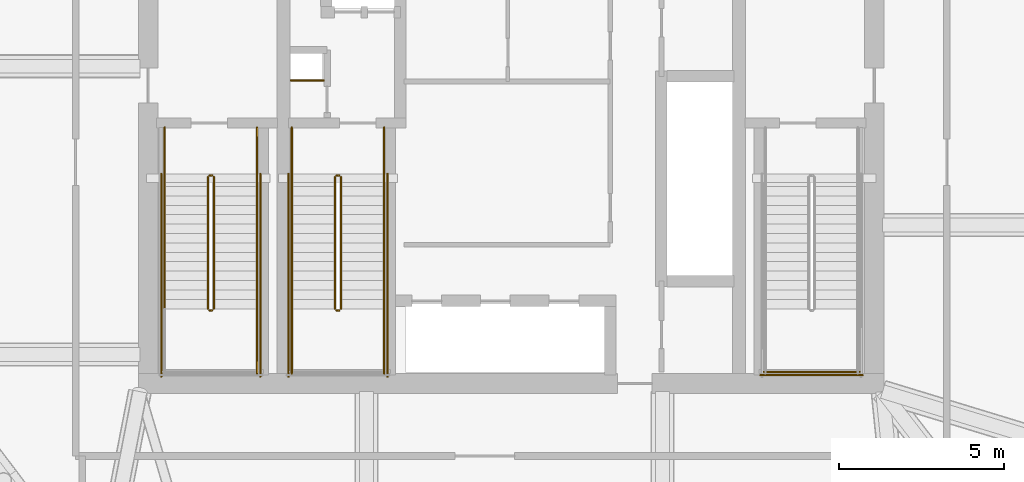
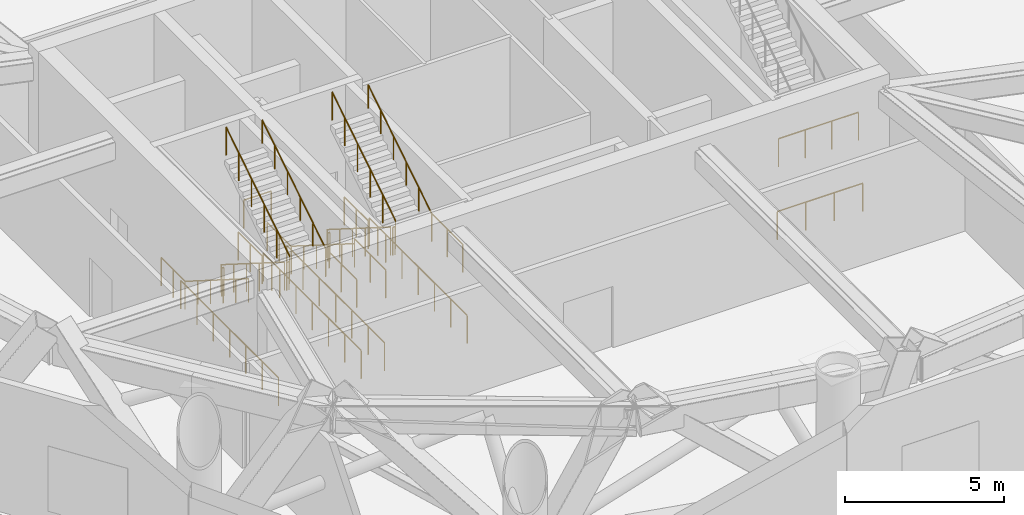
# One storey, part 8 of 10: 26 railings.
"""IFC4 building model written with IfcOpenShell, lengths in metres."""

from ifc_helpers import new_model, si_unit, direction, frame, origin, origin_2d, place, context, subcontext, project, spatial, circle, extrude, material, type_object, element, save


model = new_model("IFC4")

# Units and contexts
model_context = context("Model", 3, precision=1e-05, world=origin(), true_north=direction((0.0, 1.0)))
body_context = subcontext(model_context, "Body", "Model", "MODEL_VIEW")
ifc_project = project(units=[si_unit("LENGTHUNIT", "METRE"), si_unit("AREAUNIT", "SQUARE_METRE"), si_unit("VOLUMEUNIT", "CUBIC_METRE"), si_unit("PLANEANGLEUNIT", "RADIAN"), si_unit("MASSUNIT", "GRAM", prefix="KILO")], contexts=[model_context])

# Site, building, storey
site_placement = place(None, origin())
site = spatial("IfcSite", under=ifc_project, at=site_placement, CompositionType="ELEMENT")
building_placement = place(site_placement, origin())
building = spatial("IfcBuilding", under=site, at=building_placement, Name="Bramvorn Convention Spire", CompositionType="ELEMENT")
storey_placement = place(building_placement, frame((0.0, 0.0, 165.800048828125)))
storey = spatial("IfcBuildingStorey", under=building, at=storey_placement, Name="L42", CompositionType="ELEMENT", Elevation=165.800048828125)

# Railings
ifc_material_1 = material(Name="Painted Steel Balustrade & Guardrail", Category="steel")
railing_type_1 = type_object("IfcRailingType", Name="RL-STAIR-GUARD-1100", PredefinedType="GUARDRAIL", material=ifc_material_1)
railing_1_placement = place(storey_placement, frame((28.81005859375, 25.050048828125, 0.179931640625)))
element("IfcRailing", 1, at=railing_1_placement, inside=storey, type_object=railing_type_1, Name="L42 ST1 stair guard 1", PredefinedType="GUARDRAIL", context=body_context, shape_type="SweptSolid", body=[
    extrude(circle(Radius=0.02392578125, at=origin_2d()), frame((0.0, 0.0, 1.076171875), z_axis=(0.0, -0.845486444383, 0.533996884227), x_axis=(1.0, 0.0, 0.0)), (0.0, 0.0, 1.0), 4.71923828125),
    extrude(circle(Radius=0.02099609375, at=origin_2d()), origin(), (0.0, 0.0, 1.0), 1.052001953125),
    extrude(circle(Radius=0.02099609375, at=origin_2d()), frame((0.0, -0.798095703125, 0.50390625)), (0.0, 0.0, 1.0), 1.052001953125),
    extrude(circle(Radius=0.02099609375, at=origin_2d()), frame((0.0, -1.595947265625, 1.008056640625)), (0.0, 0.0, 1.0), 1.052001953125),
    extrude(circle(Radius=0.02099609375, at=origin_2d()), frame((0.0, -2.39404296875, 1.511962890625)), (0.0, 0.0, 1.0), 1.052001953125),
    extrude(circle(Radius=0.02099609375, at=origin_2d()), frame((0.0, -3.19189453125, 2.01611328125)), (0.0, 0.0, 1.0), 1.052001953125),
    extrude(circle(Radius=0.02099609375, at=origin_2d()), frame((0.0, -3.989990234375, 2.52001953125)), (0.0, 0.0, 1.0), 1.052001953125),
])
railing_2_placement = place(storey_placement, frame((28.860107421875, 21.010009765625, 2.699951171875)))
element("IfcRailing", 2, at=railing_2_placement, inside=storey, type_object=railing_type_1, Name="L42 ST1 stair guard 2", PredefinedType="GUARDRAIL", context=body_context, shape_type="SweptSolid", body=[
    extrude(circle(Radius=0.02392578125, at=origin_2d()), frame((0.0, 0.0, 1.076171875), z_axis=(1.0, 0.0, 0.0), x_axis=(0.0, 1.0, 0.0)), (0.0, 0.0, 1.0), 0.079833984375),
    extrude(circle(Radius=0.02099609375, at=origin_2d()), origin(), (0.0, 0.0, 1.0), 1.052001953125),
    extrude(circle(Radius=0.02099609375, at=origin_2d()), frame((0.079833984375, 0.0, 0.0)), (0.0, 0.0, 1.0), 1.052001953125),
])
railing_3_placement = place(storey_placement, frame((30.300048828125, 21.06005859375, 2.699951171875)))
element("IfcRailing", 3, at=railing_3_placement, inside=storey, type_object=railing_type_1, Name="L42 ST1 stair guard 4", PredefinedType="GUARDRAIL", context=body_context, shape_type="SweptSolid", body=[
    extrude(circle(Radius=0.02392578125, at=origin_2d()), frame((0.0, 0.0, 1.076171875), z_axis=(0.0, -1.0, 0.0), x_axis=(1.0, 0.0, 0.0)), (0.0, 0.0, 1.0), 1.9599609375),
    extrude(circle(Radius=0.02099609375, at=origin_2d()), origin(), (0.0, 0.0, 1.0), 1.052001953125),
    extrude(circle(Radius=0.02099609375, at=origin_2d()), frame((0.0, -0.97998046875, 0.0)), (0.0, 0.0, 1.0), 1.052001953125),
    extrude(circle(Radius=0.02099609375, at=origin_2d()), frame((0.0, -1.9599609375, 0.0)), (0.0, 0.0, 1.0), 1.052001953125),
])
railing_4_placement = place(storey_placement, frame((28.989990234375, 21.06005859375, 2.8798828125)))
element("IfcRailing", 4, at=railing_4_placement, inside=storey, type_object=railing_type_1, Name="L42 ST1 stair guard 6", PredefinedType="GUARDRAIL", context=body_context, shape_type="SweptSolid", body=[
    extrude(circle(Radius=0.02392578125, at=origin_2d()), frame((0.0, 0.0, 1.076171875), z_axis=(0.0, 0.845486444383, 0.533996884227), x_axis=(-1.0, 0.0, 0.0)), (0.0, 0.0, 1.0), 4.71923828125),
    extrude(circle(Radius=0.02099609375, at=origin_2d()), origin(), (0.0, 0.0, 1.0), 1.052001953125),
    extrude(circle(Radius=0.02099609375, at=origin_2d()), frame((0.0, 0.798095703125, 0.50390625)), (0.0, 0.0, 1.0), 1.052001953125),
    extrude(circle(Radius=0.02099609375, at=origin_2d()), frame((0.0, 1.595947265625, 1.008056640625)), (0.0, 0.0, 1.0), 1.052001953125),
    extrude(circle(Radius=0.02099609375, at=origin_2d()), frame((0.0, 2.39404296875, 1.511962890625)), (0.0, 0.0, 1.0), 1.052001953125),
    extrude(circle(Radius=0.02099609375, at=origin_2d()), frame((0.0, 3.19189453125, 2.01611328125)), (0.0, 0.0, 1.0), 1.052001953125),
    extrude(circle(Radius=0.02099609375, at=origin_2d()), frame((0.0, 3.989990234375, 2.52001953125)), (0.0, 0.0, 1.0), 1.052001953125),
])
railing_5_placement = place(storey_placement, frame((28.860107421875, 25.10009765625, 0.0)))
element("IfcRailing", 5, at=railing_5_placement, inside=storey, type_object=railing_type_1, Name="L42 ST1 stair guard 7", PredefinedType="GUARDRAIL", context=body_context, shape_type="SweptSolid", body=[
    extrude(circle(Radius=0.02392578125, at=origin_2d()), frame((0.0, 0.0, 1.076171875), z_axis=(1.0, 0.0, 0.0), x_axis=(0.0, 1.0, 0.0)), (0.0, 0.0, 1.0), 0.079833984375),
    extrude(circle(Radius=0.02099609375, at=origin_2d()), origin(), (0.0, 0.0, 1.0), 1.052001953125),
    extrude(circle(Radius=0.02099609375, at=origin_2d()), frame((0.079833984375, 0.0, 0.0)), (0.0, 0.0, 1.0), 1.052001953125),
])
for number, where, name in (
    (6, (27.5, 26.550048828125, 0.0), "L42 ST1 stair guard 8"),
    (7, (30.300048828125, 26.550048828125, 0.0), "L42 ST1 stair guard 9"),
):
    element("IfcRailing", number, at=place(storey_placement, frame(where)), inside=storey, type_object=railing_type_1, Name=name, PredefinedType="GUARDRAIL", context=body_context, shape_type="SweptSolid", body=[
        extrude(circle(Radius=0.02392578125, at=origin_2d()), frame((0.0, 0.0, 1.076171875), z_axis=(0.0, -1.0, 0.0), x_axis=(1.0, 0.0, 0.0)), (0.0, 0.0, 1.0), 1.5),
        extrude(circle(Radius=0.02099609375, at=origin_2d()), origin(), (0.0, 0.0, 1.0), 1.052001953125),
        extrude(circle(Radius=0.02099609375, at=origin_2d()), frame((0.0, -0.75, 0.0)), (0.0, 0.0, 1.0), 1.052001953125),
        extrude(circle(Radius=0.02099609375, at=origin_2d()), frame((0.0, -1.5, 0.0)), (0.0, 0.0, 1.0), 1.052001953125),
    ])
for number, where, name in (
    (8, (27.39990234375, 25.14990234375, 0.0), "L42 ST1 stair guard 10"),
    (9, (30.39990234375, 25.14990234375, 0.0), "L42 ST1 stair guard 11"),
):
    element("IfcRailing", number, at=place(storey_placement, frame(where)), inside=storey, type_object=railing_type_1, Name=name, PredefinedType="GUARDRAIL", context=body_context, shape_type="SweptSolid", body=[
        extrude(circle(Radius=0.02392578125, at=origin_2d()), frame((0.0, 0.0, 1.076171875), z_axis=(0.0, -1.0, 0.0), x_axis=(1.0, 0.0, 0.0)), (0.0, 0.0, 1.0), 6.14990234375),
        extrude(circle(Radius=0.02099609375, at=origin_2d()), origin(), (0.0, 0.0, 1.0), 1.052001953125),
        extrude(circle(Radius=0.02099609375, at=origin_2d()), frame((0.0, -1.02490234375, 0.0)), (0.0, 0.0, 1.0), 1.052001953125),
        extrude(circle(Radius=0.02099609375, at=origin_2d()), frame((0.0, -2.050048828125, 0.0)), (0.0, 0.0, 1.0), 1.052001953125),
        extrude(circle(Radius=0.02099609375, at=origin_2d()), frame((0.0, -3.074951171875, 0.0)), (0.0, 0.0, 1.0), 1.052001953125),
        extrude(circle(Radius=0.02099609375, at=origin_2d()), frame((0.0, -4.099853515625, 0.0)), (0.0, 0.0, 1.0), 1.052001953125),
        extrude(circle(Radius=0.02099609375, at=origin_2d()), frame((0.0, -5.125, 0.0)), (0.0, 0.0, 1.0), 1.052001953125),
        extrude(circle(Radius=0.02099609375, at=origin_2d()), frame((0.0, -6.14990234375, 0.0)), (0.0, 0.0, 1.0), 1.052001953125),
    ])
railing_6_placement = place(storey_placement, frame((45.64990234375, 19.14990234375, 2.699951171875)))
element("IfcRailing", 10, at=railing_6_placement, inside=storey, type_object=railing_type_1, Name="L42 ST2 stair guard 5", PredefinedType="GUARDRAIL", context=body_context, shape_type="SweptSolid", body=[
    extrude(circle(Radius=0.02392578125, at=origin_2d()), frame((0.0, 0.0, 1.076171875), z_axis=(1.0, 0.0, 0.0), x_axis=(0.0, 1.0, 0.0)), (0.0, 0.0, 1.0), 2.900146484375),
    extrude(circle(Radius=0.02099609375, at=origin_2d()), origin(), (0.0, 0.0, 1.0), 1.052001953125),
    extrude(circle(Radius=0.02099609375, at=origin_2d()), frame((0.966796875, 0.0, 0.0)), (0.0, 0.0, 1.0), 1.052001953125),
    extrude(circle(Radius=0.02099609375, at=origin_2d()), frame((1.933349609375, 0.0, 0.0)), (0.0, 0.0, 1.0), 1.052001953125),
    extrude(circle(Radius=0.02099609375, at=origin_2d()), frame((2.900146484375, 0.0, 0.0)), (0.0, 0.0, 1.0), 1.052001953125),
])
railing_7_placement = place(storey_placement, frame((45.550048828125, 19.050048828125, 0.0)))
element("IfcRailing", 11, at=railing_7_placement, inside=storey, type_object=railing_type_1, Name="L42 ST2 stair guard 12", PredefinedType="GUARDRAIL", context=body_context, shape_type="SweptSolid", body=[
    extrude(circle(Radius=0.02392578125, at=origin_2d()), frame((0.0, 0.0, 1.076171875), z_axis=(1.0, 0.0, 0.0), x_axis=(0.0, 1.0, 0.0)), (0.0, 0.0, 1.0), 3.099853515625),
    extrude(circle(Radius=0.02099609375, at=origin_2d()), origin(), (0.0, 0.0, 1.0), 1.052001953125),
    extrude(circle(Radius=0.02099609375, at=origin_2d()), frame((1.033203125, 0.0, 0.0)), (0.0, 0.0, 1.0), 1.052001953125),
    extrude(circle(Radius=0.02099609375, at=origin_2d()), frame((2.066650390625, 0.0, 0.0)), (0.0, 0.0, 1.0), 1.052001953125),
    extrude(circle(Radius=0.02099609375, at=origin_2d()), frame((3.099853515625, 0.0, 0.0)), (0.0, 0.0, 1.0), 1.052001953125),
])
railing_8_placement = place(storey_placement, frame((32.659912109375, 25.050048828125, 0.179931640625)))
element("IfcRailing", 12, at=railing_8_placement, inside=storey, type_object=railing_type_1, Name="L42 ST3 stair guard 1", PredefinedType="GUARDRAIL", context=body_context, shape_type="SweptSolid", body=[
    extrude(circle(Radius=0.02392578125, at=origin_2d()), frame((0.0, 0.0, 1.076171875), z_axis=(0.0, -0.845486444383, 0.533996884227), x_axis=(1.0, 0.0, 0.0)), (0.0, 0.0, 1.0), 4.71923828125),
    extrude(circle(Radius=0.02099609375, at=origin_2d()), origin(), (0.0, 0.0, 1.0), 1.052001953125),
    extrude(circle(Radius=0.02099609375, at=origin_2d()), frame((0.0, -0.798095703125, 0.50390625)), (0.0, 0.0, 1.0), 1.052001953125),
    extrude(circle(Radius=0.02099609375, at=origin_2d()), frame((0.0, -1.595947265625, 1.008056640625)), (0.0, 0.0, 1.0), 1.052001953125),
    extrude(circle(Radius=0.02099609375, at=origin_2d()), frame((0.0, -2.39404296875, 1.511962890625)), (0.0, 0.0, 1.0), 1.052001953125),
    extrude(circle(Radius=0.02099609375, at=origin_2d()), frame((0.0, -3.19189453125, 2.01611328125)), (0.0, 0.0, 1.0), 1.052001953125),
    extrude(circle(Radius=0.02099609375, at=origin_2d()), frame((0.0, -3.989990234375, 2.52001953125)), (0.0, 0.0, 1.0), 1.052001953125),
])
railing_9_placement = place(storey_placement, frame((32.7099609375, 21.010009765625, 2.699951171875)))
element("IfcRailing", 13, at=railing_9_placement, inside=storey, type_object=railing_type_1, Name="L42 ST3 stair guard 2", PredefinedType="GUARDRAIL", context=body_context, shape_type="SweptSolid", body=[
    extrude(circle(Radius=0.02392578125, at=origin_2d()), frame((0.0, 0.0, 1.076171875), z_axis=(1.0, 0.0, 0.0), x_axis=(0.0, 1.0, 0.0)), (0.0, 0.0, 1.0), 0.080078125),
    extrude(circle(Radius=0.02099609375, at=origin_2d()), origin(), (0.0, 0.0, 1.0), 1.052001953125),
    extrude(circle(Radius=0.02099609375, at=origin_2d()), frame((0.080078125, 0.0, 0.0)), (0.0, 0.0, 1.0), 1.052001953125),
])
for number, where, name in (
    (14, (31.35009765625, 21.06005859375, 2.699951171875), "L42 ST3 stair guard 3"),
    (15, (34.14990234375, 21.06005859375, 2.699951171875), "L42 ST3 stair guard 4"),
):
    element("IfcRailing", number, at=place(storey_placement, frame(where)), inside=storey, type_object=railing_type_1, Name=name, PredefinedType="GUARDRAIL", context=body_context, shape_type="SweptSolid", body=[
        extrude(circle(Radius=0.02392578125, at=origin_2d()), frame((0.0, 0.0, 1.076171875), z_axis=(0.0, -1.0, 0.0), x_axis=(1.0, 0.0, 0.0)), (0.0, 0.0, 1.0), 1.9599609375),
        extrude(circle(Radius=0.02099609375, at=origin_2d()), origin(), (0.0, 0.0, 1.0), 1.052001953125),
        extrude(circle(Radius=0.02099609375, at=origin_2d()), frame((0.0, -0.97998046875, 0.0)), (0.0, 0.0, 1.0), 1.052001953125),
        extrude(circle(Radius=0.02099609375, at=origin_2d()), frame((0.0, -1.9599609375, 0.0)), (0.0, 0.0, 1.0), 1.052001953125),
    ])
railing_10_placement = place(storey_placement, frame((32.840087890625, 21.06005859375, 2.8798828125)))
element("IfcRailing", 16, at=railing_10_placement, inside=storey, type_object=railing_type_1, Name="L42 ST3 stair guard 6", PredefinedType="GUARDRAIL", context=body_context, shape_type="SweptSolid", body=[
    extrude(circle(Radius=0.02392578125, at=origin_2d()), frame((0.0, 0.0, 1.076171875), z_axis=(0.0, 0.845486444383, 0.533996884227), x_axis=(-1.0, 0.0, 0.0)), (0.0, 0.0, 1.0), 4.71923828125),
    extrude(circle(Radius=0.02099609375, at=origin_2d()), origin(), (0.0, 0.0, 1.0), 1.052001953125),
    extrude(circle(Radius=0.02099609375, at=origin_2d()), frame((0.0, 0.798095703125, 0.50390625)), (0.0, 0.0, 1.0), 1.052001953125),
    extrude(circle(Radius=0.02099609375, at=origin_2d()), frame((0.0, 1.595947265625, 1.008056640625)), (0.0, 0.0, 1.0), 1.052001953125),
    extrude(circle(Radius=0.02099609375, at=origin_2d()), frame((0.0, 2.39404296875, 1.511962890625)), (0.0, 0.0, 1.0), 1.052001953125),
    extrude(circle(Radius=0.02099609375, at=origin_2d()), frame((0.0, 3.19189453125, 2.01611328125)), (0.0, 0.0, 1.0), 1.052001953125),
    extrude(circle(Radius=0.02099609375, at=origin_2d()), frame((0.0, 3.989990234375, 2.52001953125)), (0.0, 0.0, 1.0), 1.052001953125),
])
railing_11_placement = place(storey_placement, frame((32.7099609375, 25.10009765625, 0.0)))
element("IfcRailing", 17, at=railing_11_placement, inside=storey, type_object=railing_type_1, Name="L42 ST3 stair guard 7", PredefinedType="GUARDRAIL", context=body_context, shape_type="SweptSolid", body=[
    extrude(circle(Radius=0.02392578125, at=origin_2d()), frame((0.0, 0.0, 1.076171875), z_axis=(1.0, 0.0, 0.0), x_axis=(0.0, 1.0, 0.0)), (0.0, 0.0, 1.0), 0.080078125),
    extrude(circle(Radius=0.02099609375, at=origin_2d()), origin(), (0.0, 0.0, 1.0), 1.052001953125),
    extrude(circle(Radius=0.02099609375, at=origin_2d()), frame((0.080078125, 0.0, 0.0)), (0.0, 0.0, 1.0), 1.052001953125),
])
for number, where, name in (
    (18, (31.35009765625, 26.550048828125, 0.0), "L42 ST3 stair guard 8"),
    (19, (34.14990234375, 26.550048828125, 0.0), "L42 ST3 stair guard 9"),
):
    element("IfcRailing", number, at=place(storey_placement, frame(where)), inside=storey, type_object=railing_type_1, Name=name, PredefinedType="GUARDRAIL", context=body_context, shape_type="SweptSolid", body=[
        extrude(circle(Radius=0.02392578125, at=origin_2d()), frame((0.0, 0.0, 1.076171875), z_axis=(0.0, -1.0, 0.0), x_axis=(1.0, 0.0, 0.0)), (0.0, 0.0, 1.0), 1.5),
        extrude(circle(Radius=0.02099609375, at=origin_2d()), origin(), (0.0, 0.0, 1.0), 1.052001953125),
        extrude(circle(Radius=0.02099609375, at=origin_2d()), frame((0.0, -0.75, 0.0)), (0.0, 0.0, 1.0), 1.052001953125),
        extrude(circle(Radius=0.02099609375, at=origin_2d()), frame((0.0, -1.5, 0.0)), (0.0, 0.0, 1.0), 1.052001953125),
    ])
for number, where, name in (
    (20, (31.25, 25.14990234375, 0.0), "L42 ST3 stair guard 10"),
    (21, (34.25, 25.14990234375, 0.0), "L42 ST3 stair guard 11"),
):
    element("IfcRailing", number, at=place(storey_placement, frame(where)), inside=storey, type_object=railing_type_1, Name=name, PredefinedType="GUARDRAIL", context=body_context, shape_type="SweptSolid", body=[
        extrude(circle(Radius=0.02392578125, at=origin_2d()), frame((0.0, 0.0, 1.076171875), z_axis=(0.0, -1.0, 0.0), x_axis=(1.0, 0.0, 0.0)), (0.0, 0.0, 1.0), 6.14990234375),
        extrude(circle(Radius=0.02099609375, at=origin_2d()), origin(), (0.0, 0.0, 1.0), 1.052001953125),
        extrude(circle(Radius=0.02099609375, at=origin_2d()), frame((0.0, -1.02490234375, 0.0)), (0.0, 0.0, 1.0), 1.052001953125),
        extrude(circle(Radius=0.02099609375, at=origin_2d()), frame((0.0, -2.050048828125, 0.0)), (0.0, 0.0, 1.0), 1.052001953125),
        extrude(circle(Radius=0.02099609375, at=origin_2d()), frame((0.0, -3.074951171875, 0.0)), (0.0, 0.0, 1.0), 1.052001953125),
        extrude(circle(Radius=0.02099609375, at=origin_2d()), frame((0.0, -4.099853515625, 0.0)), (0.0, 0.0, 1.0), 1.052001953125),
        extrude(circle(Radius=0.02099609375, at=origin_2d()), frame((0.0, -5.125, 0.0)), (0.0, 0.0, 1.0), 1.052001953125),
        extrude(circle(Radius=0.02099609375, at=origin_2d()), frame((0.0, -6.14990234375, 0.0)), (0.0, 0.0, 1.0), 1.052001953125),
    ])
railing_12_placement = place(storey_placement, frame((31.320068359375, 27.97998046875, 0.0)))
element("IfcRailing", 22, at=railing_12_placement, inside=storey, type_object=railing_type_1, Name="L42 Telecom riser shaft opening safety guardrail", PredefinedType="GUARDRAIL", context=body_context, shape_type="SweptSolid", body=[
    extrude(circle(Radius=0.02392578125, at=origin_2d()), frame((0.0, 0.0, 1.076171875), z_axis=(1.0, 0.0, 0.0), x_axis=(0.0, 1.0, 0.0)), (0.0, 0.0, 1.0), 1.0),
    extrude(circle(Radius=0.02099609375, at=origin_2d()), origin(), (0.0, 0.0, 1.0), 1.052001953125),
    extrude(circle(Radius=0.02099609375, at=origin_2d()), frame((1.0, 0.0, 0.0)), (0.0, 0.0, 1.0), 1.052001953125),
])
ifc_material_2 = material(Name="Brushed Bronze Tubular Handrail", Category="aluminium")
railing_type_2 = type_object("IfcRailingType", Name="RL-STAIR-HR-920", PredefinedType="HANDRAIL", material=ifc_material_2)
railing_13_placement = place(storey_placement, frame((27.5, 25.050048828125, 0.179931640625)))
element("IfcRailing", 23, at=railing_13_placement, inside=storey, type_object=railing_type_2, Name="L42 ST1 stair handrail 1", PredefinedType="HANDRAIL", context=body_context, shape_type="SweptSolid", body=[
    extrude(circle(Radius=0.02392578125, at=origin_2d()), frame((0.0, 0.0, 0.89599609375), z_axis=(0.0, -0.845486444383, 0.533996884227), x_axis=(1.0, 0.0, 0.0)), (0.0, 0.0, 1.0), 4.71923828125),
    extrude(circle(Radius=0.02099609375, at=origin_2d()), origin(), (0.0, 0.0, 1.0), 0.871826171875),
    extrude(circle(Radius=0.02099609375, at=origin_2d()), frame((0.0, -0.798095703125, 0.50390625)), (0.0, 0.0, 1.0), 0.871826171875),
    extrude(circle(Radius=0.02099609375, at=origin_2d()), frame((0.0, -1.595947265625, 1.008056640625)), (0.0, 0.0, 1.0), 0.871826171875),
    extrude(circle(Radius=0.02099609375, at=origin_2d()), frame((0.0, -2.39404296875, 1.511962890625)), (0.0, 0.0, 1.0), 0.871826171875),
    extrude(circle(Radius=0.02099609375, at=origin_2d()), frame((0.0, -3.19189453125, 2.01611328125)), (0.0, 0.0, 1.0), 0.871826171875),
    extrude(circle(Radius=0.02099609375, at=origin_2d()), frame((0.0, -3.989990234375, 2.52001953125)), (0.0, 0.0, 1.0), 0.871826171875),
])
railing_14_placement = place(storey_placement, frame((30.300048828125, 21.06005859375, 2.8798828125)))
element("IfcRailing", 24, at=railing_14_placement, inside=storey, type_object=railing_type_2, Name="L42 ST1 stair handrail 2", PredefinedType="HANDRAIL", context=body_context, shape_type="SweptSolid", body=[
    extrude(circle(Radius=0.02392578125, at=origin_2d()), frame((0.0, 0.0, 0.89599609375), z_axis=(0.0, 0.845486444383, 0.533996884227), x_axis=(-1.0, 0.0, 0.0)), (0.0, 0.0, 1.0), 4.71923828125),
    extrude(circle(Radius=0.02099609375, at=origin_2d()), origin(), (0.0, 0.0, 1.0), 0.871826171875),
    extrude(circle(Radius=0.02099609375, at=origin_2d()), frame((0.0, 0.798095703125, 0.50390625)), (0.0, 0.0, 1.0), 0.871826171875),
    extrude(circle(Radius=0.02099609375, at=origin_2d()), frame((0.0, 1.595947265625, 1.008056640625)), (0.0, 0.0, 1.0), 0.871826171875),
    extrude(circle(Radius=0.02099609375, at=origin_2d()), frame((0.0, 2.39404296875, 1.511962890625)), (0.0, 0.0, 1.0), 0.871826171875),
    extrude(circle(Radius=0.02099609375, at=origin_2d()), frame((0.0, 3.19189453125, 2.01611328125)), (0.0, 0.0, 1.0), 0.871826171875),
    extrude(circle(Radius=0.02099609375, at=origin_2d()), frame((0.0, 3.989990234375, 2.52001953125)), (0.0, 0.0, 1.0), 0.871826171875),
])
railing_15_placement = place(storey_placement, frame((31.35009765625, 25.050048828125, 0.179931640625)))
element("IfcRailing", 25, at=railing_15_placement, inside=storey, type_object=railing_type_2, Name="L42 ST3 stair handrail 1", PredefinedType="HANDRAIL", context=body_context, shape_type="SweptSolid", body=[
    extrude(circle(Radius=0.02392578125, at=origin_2d()), frame((0.0, 0.0, 0.89599609375), z_axis=(0.0, -0.845486444383, 0.533996884227), x_axis=(1.0, 0.0, 0.0)), (0.0, 0.0, 1.0), 4.71923828125),
    extrude(circle(Radius=0.02099609375, at=origin_2d()), origin(), (0.0, 0.0, 1.0), 0.871826171875),
    extrude(circle(Radius=0.02099609375, at=origin_2d()), frame((0.0, -0.798095703125, 0.50390625)), (0.0, 0.0, 1.0), 0.871826171875),
    extrude(circle(Radius=0.02099609375, at=origin_2d()), frame((0.0, -1.595947265625, 1.008056640625)), (0.0, 0.0, 1.0), 0.871826171875),
    extrude(circle(Radius=0.02099609375, at=origin_2d()), frame((0.0, -2.39404296875, 1.511962890625)), (0.0, 0.0, 1.0), 0.871826171875),
    extrude(circle(Radius=0.02099609375, at=origin_2d()), frame((0.0, -3.19189453125, 2.01611328125)), (0.0, 0.0, 1.0), 0.871826171875),
    extrude(circle(Radius=0.02099609375, at=origin_2d()), frame((0.0, -3.989990234375, 2.52001953125)), (0.0, 0.0, 1.0), 0.871826171875),
])
railing_16_placement = place(storey_placement, frame((34.14990234375, 21.06005859375, 2.8798828125)))
element("IfcRailing", 26, at=railing_16_placement, inside=storey, type_object=railing_type_2, Name="L42 ST3 stair handrail 2", PredefinedType="HANDRAIL", context=body_context, shape_type="SweptSolid", body=[
    extrude(circle(Radius=0.02392578125, at=origin_2d()), frame((0.0, 0.0, 0.89599609375), z_axis=(0.0, 0.845486444383, 0.533996884227), x_axis=(-1.0, 0.0, 0.0)), (0.0, 0.0, 1.0), 4.71923828125),
    extrude(circle(Radius=0.02099609375, at=origin_2d()), origin(), (0.0, 0.0, 1.0), 0.871826171875),
    extrude(circle(Radius=0.02099609375, at=origin_2d()), frame((0.0, 0.798095703125, 0.50390625)), (0.0, 0.0, 1.0), 0.871826171875),
    extrude(circle(Radius=0.02099609375, at=origin_2d()), frame((0.0, 1.595947265625, 1.008056640625)), (0.0, 0.0, 1.0), 0.871826171875),
    extrude(circle(Radius=0.02099609375, at=origin_2d()), frame((0.0, 2.39404296875, 1.511962890625)), (0.0, 0.0, 1.0), 0.871826171875),
    extrude(circle(Radius=0.02099609375, at=origin_2d()), frame((0.0, 3.19189453125, 2.01611328125)), (0.0, 0.0, 1.0), 0.871826171875),
    extrude(circle(Radius=0.02099609375, at=origin_2d()), frame((0.0, 3.989990234375, 2.52001953125)), (0.0, 0.0, 1.0), 0.871826171875),
])

save(model, "model.ifc")
